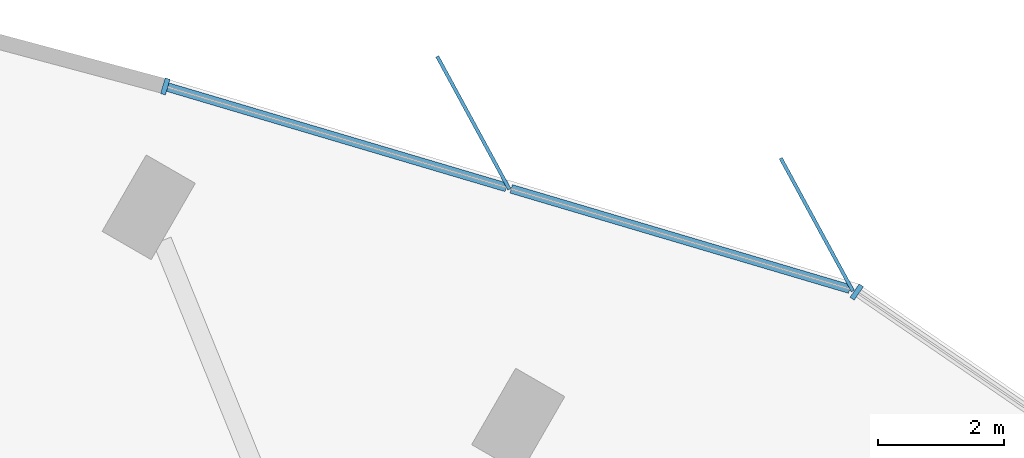
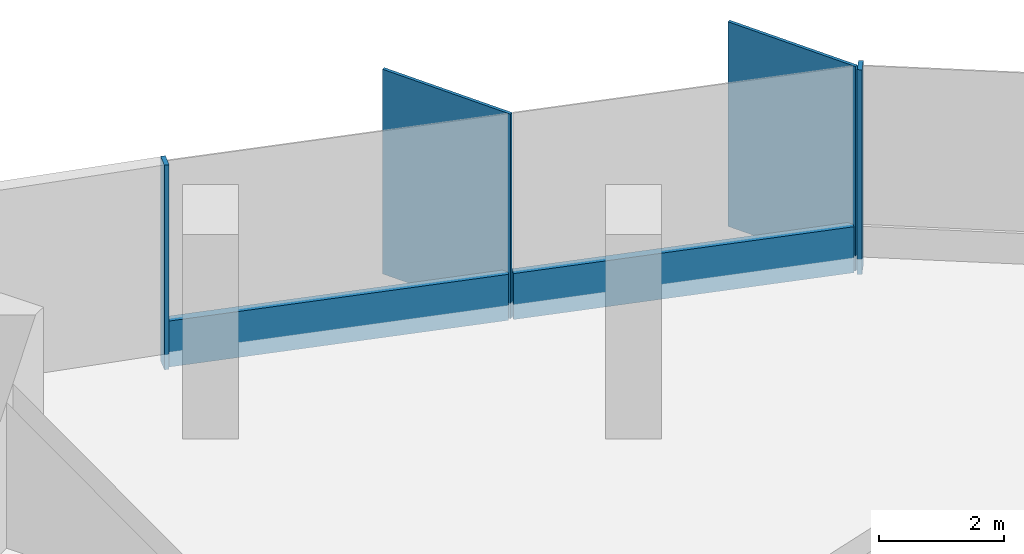
# One storey, part 6 of 13: 6 members, 2 elements without a shape of their own.
"""IFC4 building model written with IfcOpenShell, lengths in metres."""

from ifc_helpers import new_model, si_unit, direction, frame, origin, origin_2d, place, context, subcontext, project, spatial, rectangle, extrude, material, material_profile, profile_set, type_object, element, aggregate, save


model = new_model("IFC4")

# Units and contexts
model_context = context("Model", 3, precision=1e-05, world=origin(), true_north=direction((0.0, 1.0)))
body_context = subcontext(model_context, "Body", "Model", "MODEL_VIEW")
ifc_project = project(units=[si_unit("LENGTHUNIT", "METRE"), si_unit("AREAUNIT", "SQUARE_METRE"), si_unit("VOLUMEUNIT", "CUBIC_METRE"), si_unit("PLANEANGLEUNIT", "RADIAN"), si_unit("MASSUNIT", "GRAM", prefix="KILO")], contexts=[model_context])

# Site, building, storey
site_placement = place(None, origin())
site = spatial("IfcSite", under=ifc_project, at=site_placement, CompositionType="ELEMENT")
building_placement = place(site_placement, origin())
building = spatial("IfcBuilding", under=site, at=building_placement, Name="Tanit Gate Tower", CompositionType="ELEMENT")
storey_placement = place(building_placement, frame((0.0, 0.0, 269.199951171875)))
storey = spatial("IfcBuildingStorey", under=building, at=storey_placement, Name="L61", CompositionType="ELEMENT", Elevation=269.199951171875)

# Curtain wall, members
ifc_material_1 = material(Name="Aluminium bronze anodised and glass", Category="aluminium")
curtain_wall_type = type_object("IfcCurtainWallType", Name="Curtain wall typical mid", PredefinedType="NOTDEFINED", material=ifc_material_1)
curtain_wall_1_placement = place(storey_placement, origin())
curtain_wall_1 = element("IfcCurtainWall", 1, at=curtain_wall_1_placement, inside=storey, type_object=curtain_wall_type, Name="Curtain wall L61 NE3", PredefinedType="NOTDEFINED")
ifc_material_2 = material(Name="Aluminium bronze anodised", Category="aluminium")
ifc_material_profile_1 = material_profile(ifc_material_2, rectangle(XDim=2.39990234375, YDim=0.055908203125, at=origin_2d()), Name="56x2400 bronze fin mullion")
ifc_profile_set_1 = profile_set([ifc_material_profile_1], Name="Aluminium bronze anodised")
member_type_1 = type_object("IfcMemberType", Name="FIN MULLION 56x2400 bronze", PredefinedType="MULLION", material=ifc_profile_set_1)
member_1_placement = place(storey_placement, frame((-2.2919921875, 31.559814453125, -0.300048828125), z_axis=(0.0, 0.0, 1.0), x_axis=(0.477246259846, -0.878769598622, 0.0)))
member_1 = element("IfcMember", 2, at=member_1_placement, type_object=member_type_1, Name="Fin mullion L61 NE3.1", PredefinedType="MULLION", context=body_context, shape_type="SweptSolid", body=[
    extrude(rectangle(XDim=2.39990234375, YDim=0.055908203125, at=origin_2d()), origin(), (0.0, 0.0, 1.0), 4.0),
])
member_2_placement = place(storey_placement, frame((-7.7431640625, 33.174072265625, -0.300048828125), z_axis=(0.0, 0.0, 1.0), x_axis=(0.477246259846, -0.878769598622, 0.0)))
member_2 = element("IfcMember", 3, at=member_2_placement, type_object=member_type_1, Name="Fin mullion L61 NE3.2", PredefinedType="MULLION", context=body_context, shape_type="SweptSolid", body=[
    extrude(rectangle(XDim=2.39990234375, YDim=0.055908203125, at=origin_2d()), origin(), (0.0, 0.0, 1.0), 4.0),
])

# Curtain wall, member
curtain_wall_2_placement = place(storey_placement, origin())
curtain_wall_2 = element("IfcCurtainWall", 4, at=curtain_wall_2_placement, inside=storey, type_object=curtain_wall_type, Name="Curtain wall L61 NE2", PredefinedType="NOTDEFINED")
ifc_material_3 = material(Name="Aluminium bronze anodised", Category="aluminium")
ifc_material_profile_2 = material_profile(ifc_material_3, rectangle(XDim=0.260009765625, YDim=0.080078125, at=origin_2d()), Name="80x260 bronze mullion")
ifc_profile_set_2 = profile_set([ifc_material_profile_2], Name="Aluminium bronze anodised")
member_type_2 = type_object("IfcMemberType", Name="Mullion 80x260 typical mid", PredefinedType="MULLION", material=ifc_profile_set_2)
member_3_placement = place(storey_placement, frame((-1.657958984375, 30.489990234375, -0.300048828125), z_axis=(0.0, 0.0, 1.0), x_axis=(-0.565779513784, -0.824556572821, 0.0)))
member_3 = element("IfcMember", 5, at=member_3_placement, type_object=member_type_2, Name="Mullion L61 NE2.5", PredefinedType="MULLION", context=body_context, shape_type="SweptSolid", body=[
    extrude(rectangle(XDim=0.260009765625, YDim=0.080078125, at=origin_2d()), origin(), (0.0, 0.0, 1.0), 4.0),
])
aggregate(curtain_wall_2, [member_3])

# Member
member_4_placement = place(storey_placement, frame((-12.631591796875, 33.752197265625, -0.300048828125), z_axis=(0.0, 0.0, 1.0), x_axis=(-0.283919875653, -0.95884800892, 0.0)))
member_4 = element("IfcMember", 6, at=member_4_placement, type_object=member_type_2, Name="Mullion L61 NE3.3", PredefinedType="MULLION", context=body_context, shape_type="SweptSolid", body=[
    extrude(rectangle(XDim=0.260009765625, YDim=0.080078125, at=origin_2d()), origin(), (0.0, 0.0, 1.0), 4.0),
])

ifc_material_4 = material(Name="Aluminium bronze anodised", Category="aluminium")
ifc_material_profile_3 = material_profile(ifc_material_4, rectangle(XDim=0.139892578125, YDim=0.89990234375, at=origin_2d()), Name="140x900 bronze transom")
ifc_profile_set_3 = profile_set([ifc_material_profile_3], Name="Aluminium bronze anodised")
member_type_3 = type_object("IfcMemberType", Name="Transom 140x900 typical mid", PredefinedType="USERDEFINED", material=ifc_profile_set_3)
member_5_placement = place(storey_placement, frame((-1.767822265625, 30.535400390625, 0.150146484375), z_axis=(-0.9588499493, 0.283913322561, 0.0), x_axis=(-0.283913322561, -0.9588499493, 0.0)))
member_5 = element("IfcMember", 7, at=member_5_placement, type_object=member_type_3, Name="Transom L61 NE3.1", ObjectType="TRANSOM", PredefinedType="USERDEFINED", context=body_context, shape_type="SweptSolid", body=[
    extrude(rectangle(XDim=0.139892578125, YDim=0.89990234375, at=origin_2d()), origin(), (0.0, 0.0, 1.0), 5.60498046875),
])

member_6_placement = place(storey_placement, frame((-7.21875, 32.1494140625, 0.150146484375), z_axis=(-0.958841602534, 0.283941510263, 0.0), x_axis=(-0.283941510263, -0.958841602534, 0.0)))
member_6 = element("IfcMember", 8, at=member_6_placement, type_object=member_type_3, Name="Transom L61 NE3.2", ObjectType="TRANSOM", PredefinedType="USERDEFINED", context=body_context, shape_type="SweptSolid", body=[
    extrude(rectangle(XDim=0.139892578125, YDim=0.89990234375, at=origin_2d()), origin(), (0.0, 0.0, 1.0), 5.605224609375),
])

aggregate(curtain_wall_1, [member_1, member_2, member_4, member_5, member_6])

save(model, "model.ifc")
